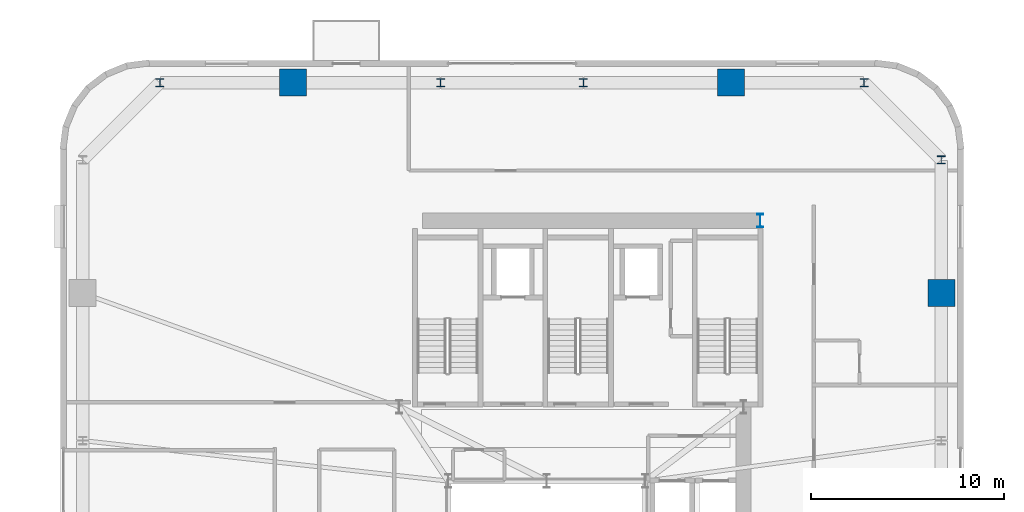
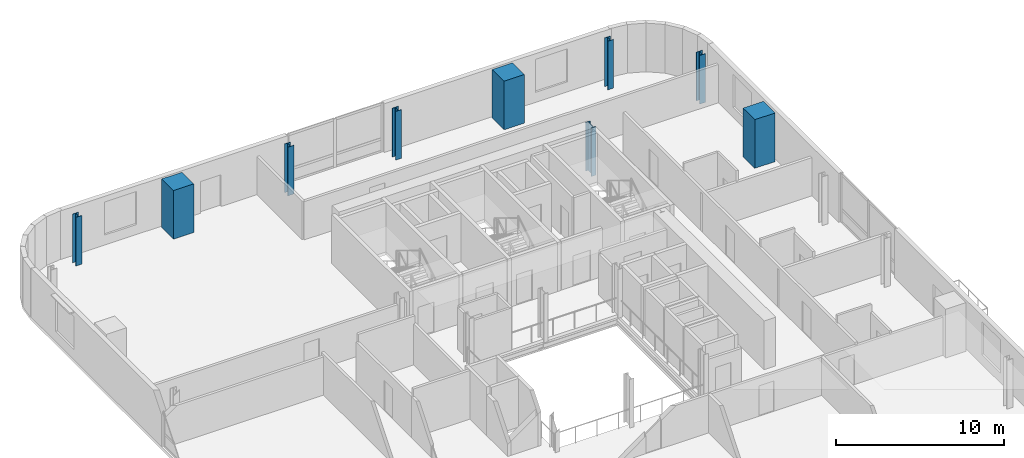
# One storey, part 2 of 16: 9 columns.
"""IFC4 building model written with IfcOpenShell, lengths in metres."""

from ifc_helpers import new_model, si_unit, direction, frame, origin, origin_2d, place, context, subcontext, project, spatial, rectangle, i_section, extrude, source, transform, mapped, material, material_profile, profile_set, type_object, element, save


model = new_model("IFC4")

# Units and contexts
model_context = context("Model", 3, precision=1e-05, world=origin(), true_north=direction((0.0, 1.0)))
body_context = subcontext(model_context, "Body", "Model", "MODEL_VIEW")
ifc_project = project(units=[si_unit("LENGTHUNIT", "METRE"), si_unit("AREAUNIT", "SQUARE_METRE"), si_unit("VOLUMEUNIT", "CUBIC_METRE"), si_unit("PLANEANGLEUNIT", "RADIAN"), si_unit("MASSUNIT", "GRAM", prefix="KILO")], contexts=[model_context])

# Site, building, storey
site_placement = place(None, origin())
site = spatial("IfcSite", under=ifc_project, at=site_placement, CompositionType="ELEMENT")
building_placement = place(site_placement, origin())
building = spatial("IfcBuilding", under=site, at=building_placement, Name="Vardaveli Station Tower", CompositionType="ELEMENT")
storey_placement = place(building_placement, frame((0.0, 0.0, 192.300048828125)))
storey = spatial("IfcBuildingStorey", under=building, at=storey_placement, Name="L49", CompositionType="ELEMENT", Elevation=192.300048828125)

# Columns
ifc_material_1 = material(Name="Structural steel S460M", Category="steel")
ifc_material_profile_1 = material_profile(ifc_material_1, i_section(OverallWidth=0.300048828125, OverallDepth=0.699951171875, WebThickness=0.01708984375, FlangeThickness=0.031982421875, FilletRadius=0.027099609375, at=origin_2d()), Name="HEB 700")
ifc_profile_set_1 = profile_set([ifc_material_profile_1], Name="Structural steel S460M")
column_type_1 = type_object("IfcColumnType", Name="COL-HEB700", PredefinedType="COLUMN", material=ifc_profile_set_1)
shared_shape_1 = source(origin(), body_context, "Body", "SweptSolid", [
    extrude(i_section(OverallWidth=0.300048828125, OverallDepth=0.699951171875, WebThickness=0.01708984375, FlangeThickness=0.031982421875, FilletRadius=0.027099609375, at=origin_2d()), origin(), (0.0, 0.0, 1.0), 3.530029296875),
])
column_placement = place(storey_placement, frame((47.3701171875, 40.300048828125, 0.0), z_axis=(0.0, 0.0, 1.0), x_axis=(1.0, 0.0, 0.0)))
element("IfcColumn", 1, at=column_placement, inside=storey, type_object=column_type_1, Name="COL-L49-CC3", PredefinedType="COLUMN", context=body_context, shape_type="MappedRepresentation", body=[
    mapped(shared_shape_1, transform((0.0, 0.0, 0.0), scale=1.0)),
])
ifc_material_2 = material(Name="Concrete C50/60", Category="concrete")
ifc_material_profile_2 = material_profile(ifc_material_2, rectangle(XDim=1.39990234375, YDim=1.39990234375, at=origin_2d()), Name="MC 1400x1400")
ifc_profile_set_2 = profile_set([ifc_material_profile_2], Name="Concrete C50/60")
column_type_2 = type_object("IfcColumnType", Name="COL-MC-1400", PredefinedType="COLUMN", material=ifc_profile_set_2)
shared_shape_2 = source(origin(), body_context, "Body", "SweptSolid", [
    extrude(rectangle(XDim=1.39990234375, YDim=1.39990234375, at=origin_2d()), origin(), (0.0, 0.0, 1.0), 3.530029296875),
])
for number, where, z_axis, x_axis, name in (
    (2, (56.75, 36.5400390625, 0.0), (0.0, 0.0, 1.0), (1.0, 0.0, 0.0), "COL-L49-MC4"),
    (3, (45.840087890625, 47.449951171875, 0.0), (0.0, 0.0, 1.0), (1.0, 0.0, 0.0), "COL-L49-MC5"),
    (4, (23.159912109375, 47.449951171875, 0.0), (0.0, 0.0, 1.0), (1.0, 0.0, 0.0), "COL-L49-MC6"),
):
    element("IfcColumn", number, at=place(storey_placement, frame(where, z_axis=z_axis, x_axis=x_axis)), inside=storey, type_object=column_type_2, Name=name, PredefinedType="COLUMN", context=body_context, shape_type="MappedRepresentation", body=[
        mapped(shared_shape_2, transform((0.0, 0.0, 0.0), scale=1.0)),
    ])
ifc_material_profile_3 = material_profile(ifc_material_1, i_section(OverallWidth=0.408935546875, OverallDepth=0.4169921875, WebThickness=0.021240234375, FlangeThickness=0.033203125, FilletRadius=0.014892578125, at=origin_2d()), Name="HD 400x347")
ifc_profile_set_3 = profile_set([ifc_material_profile_3], Name="Structural steel S460M")
column_type_3 = type_object("IfcColumnType", Name="COL-HD347", PredefinedType="COLUMN", material=ifc_profile_set_3)
shared_shape_3 = source(origin(), body_context, "Body", "SweptSolid", [
    extrude(i_section(OverallWidth=0.408935546875, OverallDepth=0.4169921875, WebThickness=0.021240234375, FlangeThickness=0.033203125, FilletRadius=0.014892578125, at=origin_2d()), origin(), (0.0, 0.0, 1.0), 3.530029296875),
])
for number, where, z_axis, x_axis, name in (
    (5, (56.75, 43.449951171875, 0.0), (0.0, 0.0, 1.0), (1.0, 0.0, 0.0), "COL-L49-PC08"),
    (6, (52.75, 47.449951171875, 0.0), (0.0, 0.0, 1.0), (1.0, 0.0, 0.0), "COL-L49-PC09"),
    (7, (38.199951171875, 47.449951171875, 0.0), (0.0, 0.0, 1.0), (1.0, 0.0, 0.0), "COL-L49-PC10"),
    (8, (30.800048828125, 47.449951171875, 0.0), (0.0, 0.0, 1.0), (1.0, 0.0, 0.0), "COL-L49-PC11"),
    (9, (16.25, 47.449951171875, 0.0), (0.0, 0.0, 1.0), (1.0, 0.0, 0.0), "COL-L49-PC12"),
):
    element("IfcColumn", number, at=place(storey_placement, frame(where, z_axis=z_axis, x_axis=x_axis)), inside=storey, type_object=column_type_3, Name=name, PredefinedType="COLUMN", context=body_context, shape_type="MappedRepresentation", body=[
        mapped(shared_shape_3, transform((0.0, 0.0, 0.0), scale=1.0)),
    ])

save(model, "model.ifc")
